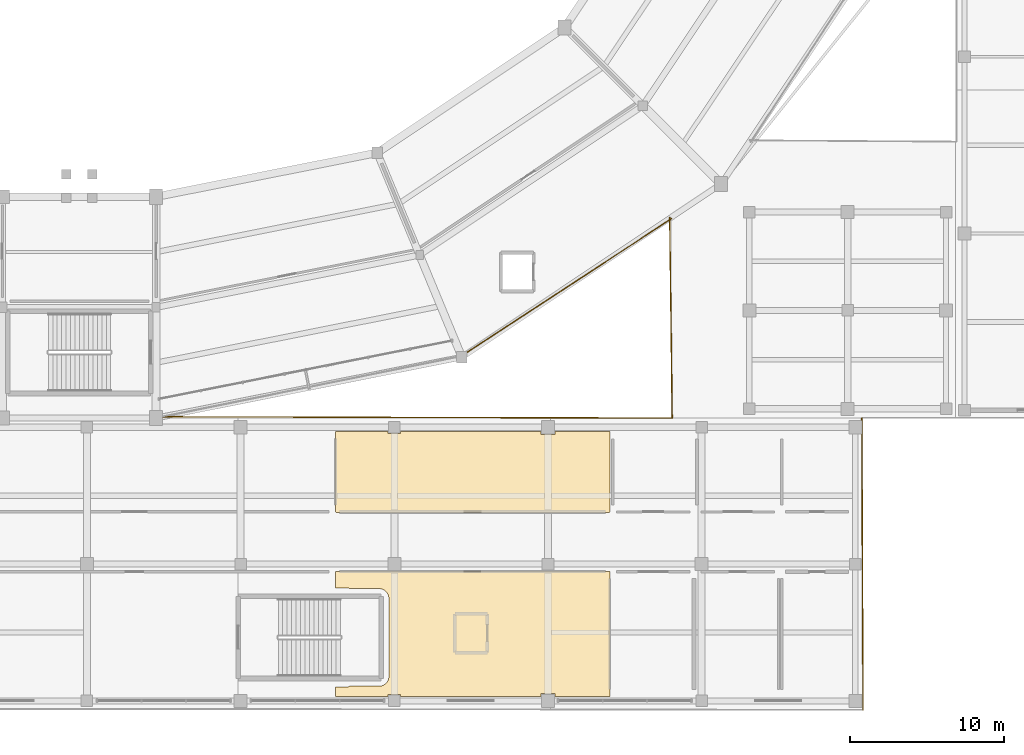
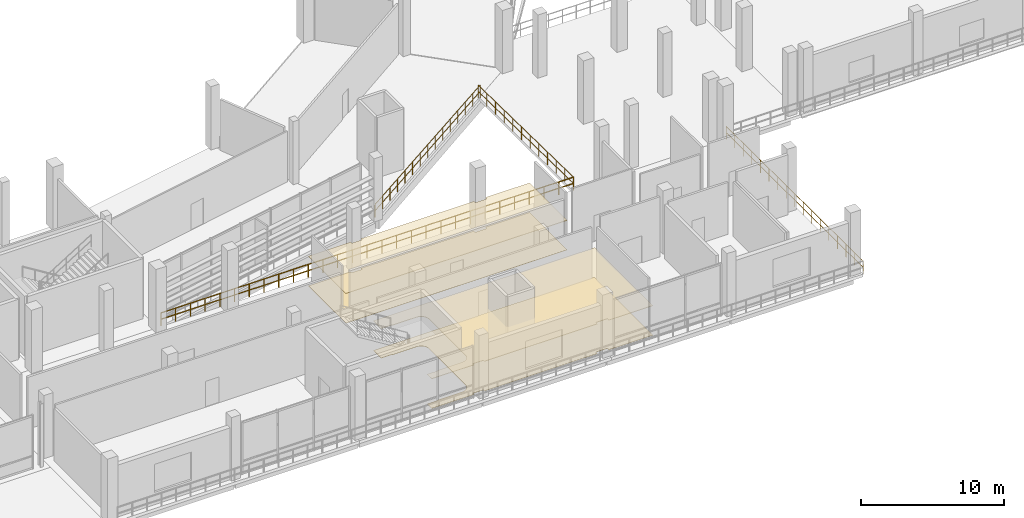
# One storey, part 104 of 114: 4 coverings, 4 railings.
"""IFC4 building model written with IfcOpenShell, lengths in metres."""

import ifcopenshell
import ifcopenshell.guid

model = None  # the IFC model being written
_history = None  # IfcOwnerHistory: only IFC2X3 demands one
_inside = {}  # id of a spatial element -> (the spatial element, [elements in it])
_under = {}  # id of a project, library or spatial element -> (it, [spatial elements below it])
_declared = {}  # id of a project -> (the project, [libraries it declares])
_typed = {}  # id of a type object -> (the type object, [elements of that type])
_made_of = {}  # id of a material, layer set ... -> (it, [elements and type objects made of it])


def new_model(schema):
    """Start an empty IFC model of exactly this schema.

    Asked for "IFC4X3", IfcOpenShell would pick the latest addendum, in which some entities
    have other attributes; the version numbers below select the first issue.
    IFC2X3 requires an IfcOwnerHistory on every rooted entity: one is made here for all.
    """
    global model, _history
    if schema == "IFC4X3":
        model = ifcopenshell.file(schema_version=(4, 3, 0, 0))
    else:
        model = ifcopenshell.file(schema=schema)
    _inside.clear()
    _under.clear()
    _declared.clear()
    _typed.clear()
    _made_of.clear()
    _history = None
    if model.schema == "IFC2X3":
        org = make("IfcOrganization", Name="unknown")
        user = make(
            "IfcPersonAndOrganization",
            ThePerson=make("IfcPerson", FamilyName="unknown"),
            TheOrganization=org,
        )
        app = make(
            "IfcApplication",
            ApplicationDeveloper=org,
            Version="unknown",
            ApplicationFullName="unknown",
            ApplicationIdentifier="unknown",
        )
        _history = make(
            "IfcOwnerHistory",
            OwningUser=user,
            OwningApplication=app,
            ChangeAction="ADDED",
            CreationDate=0,
        )
    return model


def make(cls, **values):
    """One entity of the class cls with the attributes given. An attribute that is None is left unset."""
    return model.create_entity(
        cls, **{name: value for name, value in values.items() if value is not None}
    )


def rooted(cls, **values):
    """An entity with a GlobalId (a new one), such as an element, a storey or a relation."""
    return make(cls, GlobalId=ifcopenshell.guid.new(), OwnerHistory=_history, **values)


def si_unit(unit_type, name, prefix=None):
    """IfcSIUnit, for example si_unit("LENGTHUNIT", "METRE", prefix="MILLI")."""
    return make("IfcSIUnit", UnitType=unit_type, Prefix=prefix, Name=name)


def assignment(units):
    """IfcUnitAssignment: the units of a project."""
    return None if units is None else make("IfcUnitAssignment", Units=units)


def point(xyz):
    """IfcCartesianPoint."""
    return None if xyz is None else make("IfcCartesianPoint", Coordinates=xyz)


def direction(xyz):
    """IfcDirection."""
    return None if xyz is None else make("IfcDirection", DirectionRatios=xyz)


def frame(location, z_axis=None, x_axis=None):
    """IfcAxis2Placement3D, a coordinate frame: its origin and axes. An axis left out is left unset."""
    return make(
        "IfcAxis2Placement3D",
        Location=point(location),
        Axis=direction(z_axis),
        RefDirection=direction(x_axis),
    )


def frame_2d(location, x_axis=None):
    """IfcAxis2Placement2D, a coordinate frame in the plane: its origin and x axis."""
    return make(
        "IfcAxis2Placement2D", Location=point(location), RefDirection=direction(x_axis)
    )


def origin():
    """The frame at (0, 0, 0) with its axes left unset."""
    return frame((0.0, 0.0, 0.0))


def origin_2d():
    """The frame at (0, 0) in the plane with its x axis left unset."""
    return frame_2d((0.0, 0.0))


def place(relative_to, where):
    """IfcLocalPlacement: puts the frame where relative to a parent placement (None: the world)."""
    return make(
        "IfcLocalPlacement", PlacementRelTo=relative_to, RelativePlacement=where
    )


def context(
    kind, dimensions, precision=None, world=None, true_north=None, identifier=None
):
    """IfcGeometricRepresentationContext, for example the 3D "Model" context."""
    return make(
        "IfcGeometricRepresentationContext",
        ContextIdentifier=identifier,
        ContextType=kind,
        CoordinateSpaceDimension=dimensions,
        Precision=precision,
        WorldCoordinateSystem=world,
        TrueNorth=true_north,
    )


def subcontext(parent, identifier, kind, view, scale=None):
    """IfcGeometricRepresentationSubContext, for example "Body" below "Model"."""
    return make(
        "IfcGeometricRepresentationSubContext",
        ContextIdentifier=identifier,
        ContextType=kind,
        ParentContext=parent,
        TargetScale=scale,
        TargetView=view,
    )


def project(units=None, contexts=None):
    """IfcProject with its units and contexts."""
    return rooted(
        "IfcProject",
        Name="project",
        RepresentationContexts=contexts,
        UnitsInContext=assignment(units),
    )


def spatial(cls, under=None, at=None, **own):
    """A site, building, storey or space (cls), placed at a placement, below another one or the project."""
    s = rooted(cls, ObjectPlacement=at, **own)
    if under is not None:
        _under.setdefault(under.id(), (under, []))[1].append(s)
    return s


def polyline(points):
    """IfcPolyline through the points."""
    return make("IfcPolyline", Points=[point(p) for p in points])


def profile(cls, at=None, kind="AREA", **sizes):
    """A parametric profile (cls). Its sizes go by their IFC names, for example OverallWidth=200.0."""
    return make(cls, ProfileType=kind, Position=at, **sizes)


def circle(**sizes):
    """IfcCircleProfileDef."""
    return profile("IfcCircleProfileDef", **sizes)


def outline(outer, holes=None, kind="AREA"):
    """IfcArbitraryClosedProfileDef: a profile drawn as a closed curve; with holes, ...WithVoids."""
    if holes is None:
        return make("IfcArbitraryClosedProfileDef", ProfileType=kind, OuterCurve=outer)
    return make(
        "IfcArbitraryProfileDefWithVoids",
        ProfileType=kind,
        OuterCurve=outer,
        InnerCurves=holes,
    )


def extrude(swept, where, along, depth):
    """IfcExtrudedAreaSolid: the profile swept, set in the frame where, extruded along a direction by depth."""
    return make(
        "IfcExtrudedAreaSolid",
        SweptArea=swept,
        Position=where,
        ExtrudedDirection=direction(along),
        Depth=depth,
    )


def shape(context_of_items, identifier, shape_type, items):
    """IfcShapeRepresentation: the items that make up one representation, for example the "Body"."""
    return make(
        "IfcShapeRepresentation",
        ContextOfItems=context_of_items,
        RepresentationIdentifier=identifier,
        RepresentationType=shape_type,
        Items=items,
    )


def material(Name=None, Category=None):
    """IfcMaterial."""
    return make("IfcMaterial", Name=Name, Category=Category)


def layer(
    of_material, thickness, ventilated=None, Name=None, Category=None, Priority=None
):
    """IfcMaterialLayer: one layer of a wall or slab, of a material (None: an air gap)."""
    return make(
        "IfcMaterialLayer",
        Material=of_material,
        LayerThickness=thickness,
        IsVentilated=ventilated,
        Name=Name,
        Category=Category,
        Priority=Priority,
    )


def layer_set(layers, Name=None):
    """IfcMaterialLayerSet."""
    return make("IfcMaterialLayerSet", MaterialLayers=layers, LayerSetName=Name)


def made_of(thing, what):
    """Note that an element or type object is made of a material, layer set ...; save() writes the relation."""
    if what is not None:
        _made_of.setdefault(what.id(), (what, []))[1].append(thing)
    return thing


def type_object(cls, material=None, **own):
    """A type object (cls), such as IfcWallType, which elements share."""
    return made_of(rooted(cls, **own), material)


def element(
    cls,
    number,
    at=None,
    inside=None,
    cuts=None,
    type_object=None,
    material=None,
    context=None,
    identifier="Body",
    shape_type=None,
    held_by="IfcProductDefinitionShape",
    body=None,
    shapes=None,
    **own,
):
    """One element of the class cls, such as IfcWall. Its Tag is "e" and its number.

    at: its placement. inside: the storey or other place that contains it. cuts: it is an
    opening in that element (IfcRelVoidsElement). A single representation is given by context,
    identifier, shape_type and body (its items); several are given by shapes. held_by: the class
    of the entity that holds the representations. save() writes the other relations.
    """
    e = rooted(cls, Tag="e%d" % number, ObjectPlacement=at, **own)
    if body is not None:
        shapes = [shape(context, identifier, shape_type, body)]
    if shapes is not None:
        e.Representation = make(held_by, Representations=shapes)
    if inside is not None:
        _inside.setdefault(inside.id(), (inside, []))[1].append(e)
    if cuts is not None:
        rooted(
            "IfcRelVoidsElement", RelatingBuildingElement=cuts, RelatedOpeningElement=e
        )
    if type_object is not None:
        _typed.setdefault(type_object.id(), (type_object, []))[1].append(e)
    return made_of(e, material)


def aggregate(whole, parts):
    """IfcRelAggregates: a whole, such as a stair, and the parts it consists of."""
    return rooted("IfcRelAggregates", RelatingObject=whole, RelatedObjects=parts)


def save(model, path):
    """Write the relations noted so far, then the file.

    IfcRelAggregates (storeys below a building ...), IfcRelContainedInSpatialStructure (elements
    in a storey), IfcRelDefinesByType, IfcRelAssociatesMaterial and IfcRelDeclares: one each for
    every whole, place, type object, material and project.
    """
    for whole, parts in _under.values():
        aggregate(whole, parts)
    for where, things in _inside.values():
        rooted(
            "IfcRelContainedInSpatialStructure",
            RelatedElements=things,
            RelatingStructure=where,
        )
    for kind, things in _typed.values():
        rooted("IfcRelDefinesByType", RelatedObjects=things, RelatingType=kind)
    for what, things in _made_of.values():
        rooted("IfcRelAssociatesMaterial", RelatedObjects=things, RelatingMaterial=what)
    for by, libraries in _declared.values():
        rooted("IfcRelDeclares", RelatingContext=by, RelatedDefinitions=libraries)
    model.write(path)


model = new_model("IFC4")

# Units and contexts
model_context = context("Model", 3, precision=1e-05, world=origin(), true_north=direction((0.0, 1.0)))
body_context = subcontext(model_context, "Body", "Model", "MODEL_VIEW")
ifc_project = project(units=[si_unit("LENGTHUNIT", "METRE"), si_unit("AREAUNIT", "SQUARE_METRE"), si_unit("VOLUMEUNIT", "CUBIC_METRE"), si_unit("PLANEANGLEUNIT", "RADIAN"), si_unit("MASSUNIT", "GRAM", prefix="KILO")], contexts=[model_context])

# Site, building, storey
site_placement = place(None, origin())
site = spatial("IfcSite", under=ifc_project, at=site_placement, CompositionType="ELEMENT")
building_placement = place(site_placement, origin())
building = spatial("IfcBuilding", under=site, at=building_placement, Name="Candeia Ridge Stadium", CompositionType="ELEMENT")
storey_placement = place(building_placement, frame((0.0, 0.0, 5.39990234375)))
storey = spatial("IfcBuildingStorey", under=building, at=storey_placement, Name="L01", CompositionType="ELEMENT", Elevation=5.39990234375)

# Coverings
ifc_material_1 = material(Name="Basalt Terrazzo Finish", Category="masonry")
ifc_layer_1 = layer(ifc_material_1, 0.02490234375, Name="Basalt Terrazzo Finish", Category="masonry")
ifc_layer_set_1 = layer_set([ifc_layer_1], Name="Basalt Terrazzo Finish")
covering_type_1 = type_object("IfcCoveringType", Name="Polished Basalt Terrazzo Flooring 25", PredefinedType="FLOORING", material=ifc_layer_set_1)
covering_1_placement = place(storey_placement, origin())
element("IfcCovering", 1, at=covering_1_placement, inside=storey, type_object=covering_type_1, Name="Interior finish flooring Supporters Family Lounge South", PredefinedType="FLOORING", context=body_context, shape_type="SweptSolid", body=[
    extrude(outline(polyline([(152.670654296875, 9.005859375), (152.67138671875, 9.0087890625), (152.67236328125, 9.011474609375), (152.673583984375, 9.01416015625), (152.675048828125, 9.0166015625), (152.6767578125, 9.01904296875), (152.6787109375, 9.021240234375), (152.680908203125, 9.023193359375), (152.683349609375, 9.02490234375), (152.685791015625, 9.026611328125), (152.6884765625, 9.027587890625), (152.69140625, 9.02880859375), (152.694091796875, 9.029296875), (152.697021484375, 9.02978515625), (152.699951171875, 9.030029296875), (170.5, 9.030029296875), (170.5029296875, 9.02978515625), (170.505859375, 9.029296875), (170.5087890625, 9.02880859375), (170.511474609375, 9.027587890625), (170.51416015625, 9.026611328125), (170.5166015625, 9.02490234375), (170.51904296875, 9.023193359375), (170.521240234375, 9.021240234375), (170.523193359375, 9.01904296875), (170.52490234375, 9.0166015625), (170.526611328125, 9.01416015625), (170.527587890625, 9.011474609375), (170.52880859375, 9.0087890625), (170.529296875, 9.005859375), (170.52978515625, 9.0029296875), (170.530029296875, 9.0), (170.530029296875, 0.89990234375), (170.52978515625, 0.897216796875), (170.529296875, 0.89404296875), (170.52880859375, 0.891357421875), (170.527587890625, 0.888427734375), (170.526611328125, 0.885986328125), (170.52490234375, 0.88330078125), (170.523193359375, 0.881103515625), (170.521240234375, 0.87890625), (170.51904296875, 0.876708984375), (170.5166015625, 0.875), (170.51416015625, 0.87353515625), (170.511474609375, 0.872314453125), (170.5087890625, 0.871337890625), (170.505859375, 0.87060546875), (170.5029296875, 0.8701171875), (170.5, 0.8701171875), (166.965087890625, 0.8701171875), (166.965087890625, 1.06494140625), (166.034912109375, 1.06494140625), (166.034912109375, 0.8701171875), (156.9150390625, 0.8701171875), (156.9150390625, 1.014892578125), (156.0849609375, 1.014892578125), (156.0849609375, 0.8701171875), (152.699951171875, 0.8701171875), (152.697021484375, 0.8701171875), (152.694091796875, 0.87060546875), (152.69140625, 0.871337890625), (152.6884765625, 0.872314453125), (152.685791015625, 0.87353515625), (152.683349609375, 0.875), (152.680908203125, 0.876708984375), (152.6787109375, 0.87890625), (152.6767578125, 0.881103515625), (152.675048828125, 0.88330078125), (152.673583984375, 0.885986328125), (152.67236328125, 0.888427734375), (152.67138671875, 0.891357421875), (152.670654296875, 0.89404296875), (152.670166015625, 0.897216796875), (152.669921875, 0.89990234375), (152.669921875, 1.5), (153.409912109375, 1.5), (153.4443359375, 1.501708984375), (153.478271484375, 1.506591796875), (153.51171875, 1.51513671875), (153.5439453125, 1.526611328125), (153.574951171875, 1.541259765625), (153.589599609375, 1.550048828125), (155.5, 1.550048828125), (155.51708984375, 1.55029296875), (155.546630859375, 1.552001953125), (155.580810546875, 1.55517578125), (155.60986328125, 1.5595703125), (155.6435546875, 1.56640625), (155.672119140625, 1.573486328125), (155.705078125, 1.58349609375), (155.732666015625, 1.59326171875), (155.764404296875, 1.6064453125), (155.791015625, 1.618896484375), (155.8212890625, 1.63525390625), (155.8466796875, 1.650390625), (155.875244140625, 1.66943359375), (155.898681640625, 1.68701171875), (155.92529296875, 1.708740234375), (155.947265625, 1.728515625), (155.971435546875, 1.752685546875), (155.9912109375, 1.774658203125), (156.012939453125, 1.80126953125), (156.030517578125, 1.82470703125), (156.049560546875, 1.853515625), (156.064697265625, 1.878662109375), (156.0810546875, 1.908935546875), (156.093505859375, 1.935546875), (156.106689453125, 1.96728515625), (156.11669921875, 1.9951171875), (156.126708984375, 2.02783203125), (156.1337890625, 2.056396484375), (156.140380859375, 2.090087890625), (156.144775390625, 2.119140625), (156.148193359375, 2.1533203125), (156.149658203125, 2.182861328125), (156.14990234375, 2.199951171875), (156.14990234375, 7.25), (156.149658203125, 7.26708984375), (156.148193359375, 7.296630859375), (156.144775390625, 7.330810546875), (156.140380859375, 7.35986328125), (156.1337890625, 7.3935546875), (156.126708984375, 7.422119140625), (156.11669921875, 7.455078125), (156.106689453125, 7.482666015625), (156.093505859375, 7.514404296875), (156.0810546875, 7.541015625), (156.064697265625, 7.5712890625), (156.049560546875, 7.5966796875), (156.030517578125, 7.625244140625), (156.012939453125, 7.648681640625), (155.9912109375, 7.67529296875), (155.971435546875, 7.697265625), (155.947265625, 7.721435546875), (155.92529296875, 7.7412109375), (155.898681640625, 7.762939453125), (155.875244140625, 7.780517578125), (155.8466796875, 7.799560546875), (155.8212890625, 7.814697265625), (155.791015625, 7.8310546875), (155.764404296875, 7.843505859375), (155.732666015625, 7.856689453125), (155.705078125, 7.86669921875), (155.672119140625, 7.876708984375), (155.6435546875, 7.8837890625), (155.60986328125, 7.890380859375), (155.580810546875, 7.894775390625), (155.546630859375, 7.898193359375), (155.51708984375, 7.899658203125), (155.5, 7.89990234375), (153.589599609375, 7.89990234375), (153.574951171875, 7.90869140625), (153.5439453125, 7.92333984375), (153.51171875, 7.934814453125), (153.478271484375, 7.943359375), (153.4443359375, 7.9482421875), (153.409912109375, 7.949951171875), (152.669921875, 7.949951171875), (152.669921875, 9.0), (152.670166015625, 9.0029296875), (152.670654296875, 9.005859375)])), origin(), (0.0, 0.0, 1.0), 0.02001953125),
])
covering_2_placement = place(storey_placement, origin())
element("IfcCovering", 2, at=covering_2_placement, inside=storey, type_object=covering_type_1, Name="Interior finish flooring Supporters Family Lounge South North Hall", PredefinedType="FLOORING", context=body_context, shape_type="SweptSolid", body=[
    extrude(outline(polyline([(152.694091796875, 12.87060546875), (152.69140625, 12.871337890625), (152.6884765625, 12.872314453125), (152.685791015625, 12.87353515625), (152.683349609375, 12.875), (152.680908203125, 12.876708984375), (152.6787109375, 12.87890625), (152.6767578125, 12.881103515625), (152.675048828125, 12.88330078125), (152.673583984375, 12.885986328125), (152.67236328125, 12.888427734375), (152.67138671875, 12.891357421875), (152.670654296875, 12.89404296875), (152.670166015625, 12.897216796875), (152.669921875, 12.89990234375), (152.669921875, 18.10009765625), (152.670166015625, 18.102783203125), (152.670654296875, 18.10595703125), (152.67138671875, 18.108642578125), (152.67236328125, 18.111572265625), (152.673583984375, 18.114013671875), (152.675048828125, 18.11669921875), (152.6767578125, 18.118896484375), (152.6787109375, 18.12109375), (152.680908203125, 18.123291015625), (152.683349609375, 18.125), (152.685791015625, 18.12646484375), (152.6884765625, 18.127685546875), (152.69140625, 18.128662109375), (152.694091796875, 18.12939453125), (152.697021484375, 18.1298828125), (152.699951171875, 18.1298828125), (156.0849609375, 18.1298828125), (156.0849609375, 17.985107421875), (156.9150390625, 17.985107421875), (156.9150390625, 18.1298828125), (166.034912109375, 18.1298828125), (166.034912109375, 17.93505859375), (166.965087890625, 17.93505859375), (166.965087890625, 18.1298828125), (170.5, 18.1298828125), (170.5029296875, 18.1298828125), (170.505859375, 18.12939453125), (170.5087890625, 18.128662109375), (170.511474609375, 18.127685546875), (170.51416015625, 18.12646484375), (170.5166015625, 18.125), (170.51904296875, 18.123291015625), (170.521240234375, 18.12109375), (170.523193359375, 18.118896484375), (170.52490234375, 18.11669921875), (170.526611328125, 18.114013671875), (170.527587890625, 18.111572265625), (170.52880859375, 18.108642578125), (170.529296875, 18.10595703125), (170.52978515625, 18.102783203125), (170.530029296875, 18.10009765625), (170.530029296875, 12.89990234375), (170.52978515625, 12.897216796875), (170.529296875, 12.89404296875), (170.52880859375, 12.891357421875), (170.527587890625, 12.888427734375), (170.526611328125, 12.885986328125), (170.52490234375, 12.88330078125), (170.523193359375, 12.881103515625), (170.521240234375, 12.87890625), (170.51904296875, 12.876708984375), (170.5166015625, 12.875), (170.51416015625, 12.87353515625), (170.511474609375, 12.872314453125), (170.5087890625, 12.871337890625), (170.505859375, 12.87060546875), (170.5029296875, 12.8701171875), (170.5, 12.8701171875), (152.699951171875, 12.8701171875), (152.697021484375, 12.8701171875), (152.694091796875, 12.87060546875)])), origin(), (0.0, 0.0, 1.0), 0.02001953125),
])
ifc_material_2 = material(Name="Western Red Cedar Acoustic Slat", Category="wood")
ifc_layer_2 = layer(ifc_material_2, 0.044921875, Name="Western Red Cedar Acoustic Slat", Category="wood")
ifc_layer_set_2 = layer_set([ifc_layer_2], Name="Western Red Cedar Acoustic Slat")
covering_type_2 = type_object("IfcCoveringType", Name="Slatted Cedar Acoustic Ceiling 45", PredefinedType="CEILING", material=ifc_layer_set_2)
covering_3_placement = place(storey_placement, frame((0.0, 0.0, 2.510009765625)))
element("IfcCovering", 3, at=covering_3_placement, inside=storey, type_object=covering_type_2, Name="Acoustic ceiling Supporters Family Lounge South", PredefinedType="CEILING", context=body_context, shape_type="SweptSolid", body=[
    extrude(outline(polyline([(152.670654296875, 9.005859375), (152.67138671875, 9.0087890625), (152.67236328125, 9.011474609375), (152.673583984375, 9.01416015625), (152.675048828125, 9.0166015625), (152.6767578125, 9.01904296875), (152.6787109375, 9.021240234375), (152.680908203125, 9.023193359375), (152.683349609375, 9.02490234375), (152.685791015625, 9.026611328125), (152.6884765625, 9.027587890625), (152.69140625, 9.02880859375), (152.694091796875, 9.029296875), (152.697021484375, 9.02978515625), (152.699951171875, 9.030029296875), (170.5, 9.030029296875), (170.5029296875, 9.02978515625), (170.505859375, 9.029296875), (170.5087890625, 9.02880859375), (170.511474609375, 9.027587890625), (170.51416015625, 9.026611328125), (170.5166015625, 9.02490234375), (170.51904296875, 9.023193359375), (170.521240234375, 9.021240234375), (170.523193359375, 9.01904296875), (170.52490234375, 9.0166015625), (170.526611328125, 9.01416015625), (170.527587890625, 9.011474609375), (170.52880859375, 9.0087890625), (170.529296875, 9.005859375), (170.52978515625, 9.0029296875), (170.530029296875, 9.0), (170.530029296875, 0.89990234375), (170.52978515625, 0.897216796875), (170.529296875, 0.89404296875), (170.52880859375, 0.891357421875), (170.527587890625, 0.888427734375), (170.526611328125, 0.885986328125), (170.52490234375, 0.88330078125), (170.523193359375, 0.881103515625), (170.521240234375, 0.87890625), (170.51904296875, 0.876708984375), (170.5166015625, 0.875), (170.51416015625, 0.87353515625), (170.511474609375, 0.872314453125), (170.5087890625, 0.871337890625), (170.505859375, 0.87060546875), (170.5029296875, 0.8701171875), (170.5, 0.8701171875), (166.965087890625, 0.8701171875), (166.965087890625, 1.06494140625), (166.034912109375, 1.06494140625), (166.034912109375, 0.8701171875), (156.9150390625, 0.8701171875), (156.9150390625, 1.014892578125), (156.0849609375, 1.014892578125), (156.0849609375, 0.8701171875), (152.699951171875, 0.8701171875), (152.697021484375, 0.8701171875), (152.694091796875, 0.87060546875), (152.69140625, 0.871337890625), (152.6884765625, 0.872314453125), (152.685791015625, 0.87353515625), (152.683349609375, 0.875), (152.680908203125, 0.876708984375), (152.6787109375, 0.87890625), (152.6767578125, 0.881103515625), (152.675048828125, 0.88330078125), (152.673583984375, 0.885986328125), (152.67236328125, 0.888427734375), (152.67138671875, 0.891357421875), (152.670654296875, 0.89404296875), (152.670166015625, 0.897216796875), (152.669921875, 0.89990234375), (152.669921875, 1.5), (153.409912109375, 1.5), (153.4443359375, 1.501708984375), (153.478271484375, 1.506591796875), (153.51171875, 1.51513671875), (153.5439453125, 1.526611328125), (153.574951171875, 1.541259765625), (153.589599609375, 1.550048828125), (155.5, 1.550048828125), (155.51708984375, 1.55029296875), (155.546630859375, 1.552001953125), (155.580810546875, 1.55517578125), (155.60986328125, 1.5595703125), (155.6435546875, 1.56640625), (155.672119140625, 1.573486328125), (155.705078125, 1.58349609375), (155.732666015625, 1.59326171875), (155.764404296875, 1.6064453125), (155.791015625, 1.618896484375), (155.8212890625, 1.63525390625), (155.8466796875, 1.650390625), (155.875244140625, 1.66943359375), (155.898681640625, 1.68701171875), (155.92529296875, 1.708740234375), (155.947265625, 1.728515625), (155.971435546875, 1.752685546875), (155.9912109375, 1.774658203125), (156.012939453125, 1.80126953125), (156.030517578125, 1.82470703125), (156.049560546875, 1.853515625), (156.064697265625, 1.878662109375), (156.0810546875, 1.908935546875), (156.093505859375, 1.935546875), (156.106689453125, 1.96728515625), (156.11669921875, 1.9951171875), (156.126708984375, 2.02783203125), (156.1337890625, 2.056396484375), (156.140380859375, 2.090087890625), (156.144775390625, 2.119140625), (156.148193359375, 2.1533203125), (156.149658203125, 2.182861328125), (156.14990234375, 2.199951171875), (156.14990234375, 7.25), (156.149658203125, 7.26708984375), (156.148193359375, 7.296630859375), (156.144775390625, 7.330810546875), (156.140380859375, 7.35986328125), (156.1337890625, 7.3935546875), (156.126708984375, 7.422119140625), (156.11669921875, 7.455078125), (156.106689453125, 7.482666015625), (156.093505859375, 7.514404296875), (156.0810546875, 7.541015625), (156.064697265625, 7.5712890625), (156.049560546875, 7.5966796875), (156.030517578125, 7.625244140625), (156.012939453125, 7.648681640625), (155.9912109375, 7.67529296875), (155.971435546875, 7.697265625), (155.947265625, 7.721435546875), (155.92529296875, 7.7412109375), (155.898681640625, 7.762939453125), (155.875244140625, 7.780517578125), (155.8466796875, 7.799560546875), (155.8212890625, 7.814697265625), (155.791015625, 7.8310546875), (155.764404296875, 7.843505859375), (155.732666015625, 7.856689453125), (155.705078125, 7.86669921875), (155.672119140625, 7.876708984375), (155.6435546875, 7.8837890625), (155.60986328125, 7.890380859375), (155.580810546875, 7.894775390625), (155.546630859375, 7.898193359375), (155.51708984375, 7.899658203125), (155.5, 7.89990234375), (153.589599609375, 7.89990234375), (153.574951171875, 7.90869140625), (153.5439453125, 7.92333984375), (153.51171875, 7.934814453125), (153.478271484375, 7.943359375), (153.4443359375, 7.9482421875), (153.409912109375, 7.949951171875), (152.669921875, 7.949951171875), (152.669921875, 9.0), (152.670166015625, 9.0029296875), (152.670654296875, 9.005859375)])), origin(), (0.0, 0.0, 1.0), 0.0400390625),
])
covering_4_placement = place(storey_placement, frame((0.0, 0.0, 2.510009765625)))
element("IfcCovering", 4, at=covering_4_placement, inside=storey, type_object=covering_type_2, Name="Acoustic ceiling Supporters Family Lounge South North Hall", PredefinedType="CEILING", context=body_context, shape_type="SweptSolid", body=[
    extrude(outline(polyline([(152.694091796875, 12.87060546875), (152.69140625, 12.871337890625), (152.6884765625, 12.872314453125), (152.685791015625, 12.87353515625), (152.683349609375, 12.875), (152.680908203125, 12.876708984375), (152.6787109375, 12.87890625), (152.6767578125, 12.881103515625), (152.675048828125, 12.88330078125), (152.673583984375, 12.885986328125), (152.67236328125, 12.888427734375), (152.67138671875, 12.891357421875), (152.670654296875, 12.89404296875), (152.670166015625, 12.897216796875), (152.669921875, 12.89990234375), (152.669921875, 18.10009765625), (152.670166015625, 18.102783203125), (152.670654296875, 18.10595703125), (152.67138671875, 18.108642578125), (152.67236328125, 18.111572265625), (152.673583984375, 18.114013671875), (152.675048828125, 18.11669921875), (152.6767578125, 18.118896484375), (152.6787109375, 18.12109375), (152.680908203125, 18.123291015625), (152.683349609375, 18.125), (152.685791015625, 18.12646484375), (152.6884765625, 18.127685546875), (152.69140625, 18.128662109375), (152.694091796875, 18.12939453125), (152.697021484375, 18.1298828125), (152.699951171875, 18.1298828125), (156.0849609375, 18.1298828125), (156.0849609375, 17.985107421875), (156.9150390625, 17.985107421875), (156.9150390625, 18.1298828125), (166.034912109375, 18.1298828125), (166.034912109375, 17.93505859375), (166.965087890625, 17.93505859375), (166.965087890625, 18.1298828125), (170.5, 18.1298828125), (170.5029296875, 18.1298828125), (170.505859375, 18.12939453125), (170.5087890625, 18.128662109375), (170.511474609375, 18.127685546875), (170.51416015625, 18.12646484375), (170.5166015625, 18.125), (170.51904296875, 18.123291015625), (170.521240234375, 18.12109375), (170.523193359375, 18.118896484375), (170.52490234375, 18.11669921875), (170.526611328125, 18.114013671875), (170.527587890625, 18.111572265625), (170.52880859375, 18.108642578125), (170.529296875, 18.10595703125), (170.52978515625, 18.102783203125), (170.530029296875, 18.10009765625), (170.530029296875, 12.89990234375), (170.52978515625, 12.897216796875), (170.529296875, 12.89404296875), (170.52880859375, 12.891357421875), (170.527587890625, 12.888427734375), (170.526611328125, 12.885986328125), (170.52490234375, 12.88330078125), (170.523193359375, 12.881103515625), (170.521240234375, 12.87890625), (170.51904296875, 12.876708984375), (170.5166015625, 12.875), (170.51416015625, 12.87353515625), (170.511474609375, 12.872314453125), (170.5087890625, 12.871337890625), (170.505859375, 12.87060546875), (170.5029296875, 12.8701171875), (170.5, 12.8701171875), (152.699951171875, 12.8701171875), (152.697021484375, 12.8701171875), (152.694091796875, 12.87060546875)])), origin(), (0.0, 0.0, 1.0), 0.0400390625),
])

# Railings
ifc_material_3 = material(Name="Galvanized Powder-Coated Steel", Category="steel")
ifc_layer_3 = layer(ifc_material_3, 0.074951171875, Name="Galvanized Powder-Coated Steel", Category="steel")
ifc_layer_set_3 = layer_set([ifc_layer_3], Name="Galvanized Powder-Coated Steel")
railing_type = type_object("IfcRailingType", Name="Spectator Bowl Front Guardrail 1120", PredefinedType="GUARDRAIL", material=ifc_layer_set_3)
railing_1_placement = place(storey_placement, frame((186.919921875, 19.0, 0.0)))
element("IfcRailing", 5, at=railing_1_placement, inside=storey, type_object=railing_type, Name="Deck edge safety guardrail GR-DE-L01-0013", PredefinedType="GUARDRAIL", context=body_context, shape_type="SweptSolid", body=[
    extrude(circle(Radius=0.02392578125, at=origin_2d()), frame((0.0, 0.0, 1.09619140625), z_axis=(0.004214600726, -0.999991118531, 0.0), x_axis=(0.999991118531, 0.004214600726, 0.0)), (0.0, 0.0, 1.0), 19.000244140625),
    extrude(circle(Radius=0.02392578125, at=origin_2d()), frame((0.0, 0.0, 0.56005859375), z_axis=(0.004214600726, -0.999991118531, 0.0), x_axis=(0.999991118531, 0.004214600726, 0.0)), (0.0, 0.0, 1.0), 19.000244140625),
    extrude(circle(Radius=0.02099609375, at=origin_2d()), origin(), (0.0, 0.0, 1.0), 1.072021484375),
    extrude(circle(Radius=0.02099609375, at=origin_2d()), frame((0.0048828125, -1.1875, 0.0)), (0.0, 0.0, 1.0), 1.072021484375),
    extrude(circle(Radius=0.02099609375, at=origin_2d()), frame((0.010009765625, -2.375, 0.0)), (0.0, 0.0, 1.0), 1.072021484375),
    extrude(circle(Radius=0.02099609375, at=origin_2d()), frame((0.01513671875, -3.5625, 0.0)), (0.0, 0.0, 1.0), 1.072021484375),
    extrude(circle(Radius=0.02099609375, at=origin_2d()), frame((0.02001953125, -4.75, 0.0)), (0.0, 0.0, 1.0), 1.072021484375),
    extrude(circle(Radius=0.02099609375, at=origin_2d()), frame((0.02490234375, -5.9375, 0.0)), (0.0, 0.0, 1.0), 1.072021484375),
    extrude(circle(Radius=0.02099609375, at=origin_2d()), frame((0.030029296875, -7.125, 0.0)), (0.0, 0.0, 1.0), 1.072021484375),
    extrude(circle(Radius=0.02099609375, at=origin_2d()), frame((0.03515625, -8.3125, 0.0)), (0.0, 0.0, 1.0), 1.072021484375),
    extrude(circle(Radius=0.02099609375, at=origin_2d()), frame((0.0400390625, -9.5, 0.0)), (0.0, 0.0, 1.0), 1.072021484375),
    extrude(circle(Radius=0.02099609375, at=origin_2d()), frame((0.044921875, -10.6875, 0.0)), (0.0, 0.0, 1.0), 1.072021484375),
    extrude(circle(Radius=0.02099609375, at=origin_2d()), frame((0.050048828125, -11.875, 0.0)), (0.0, 0.0, 1.0), 1.072021484375),
    extrude(circle(Radius=0.02099609375, at=origin_2d()), frame((0.05517578125, -13.0625, 0.0)), (0.0, 0.0, 1.0), 1.072021484375),
    extrude(circle(Radius=0.02099609375, at=origin_2d()), frame((0.06005859375, -14.25, 0.0)), (0.0, 0.0, 1.0), 1.072021484375),
    extrude(circle(Radius=0.02099609375, at=origin_2d()), frame((0.06494140625, -15.4375, 0.0)), (0.0, 0.0, 1.0), 1.072021484375),
    extrude(circle(Radius=0.02099609375, at=origin_2d()), frame((0.070068359375, -16.625, 0.0)), (0.0, 0.0, 1.0), 1.072021484375),
    extrude(circle(Radius=0.02099609375, at=origin_2d()), frame((0.0751953125, -17.8125, 0.0)), (0.0, 0.0, 1.0), 1.072021484375),
    extrude(circle(Radius=0.02099609375, at=origin_2d()), frame((0.080078125, -19.0, 0.0)), (0.0, 0.0, 1.0), 1.072021484375),
])
railing_2_placement = place(storey_placement, frame((174.54443359375, 31.979248046875, 0.0)))
element("IfcRailing", 6, at=railing_2_placement, inside=storey, type_object=railing_type, Name="Deck edge safety guardrail GR-DE-L01-0027", PredefinedType="GUARDRAIL", context=body_context, shape_type="SweptSolid", body=[
    extrude(circle(Radius=0.02392578125, at=origin_2d()), frame((0.0, 0.0, 1.09619140625), z_axis=(-0.836677098571, -0.547696478651, 0.0), x_axis=(0.547696478651, -0.836677098571, 0.0)), (0.0, 0.0, 1.0), 16.3271484375),
    extrude(circle(Radius=0.02392578125, at=origin_2d()), frame((0.0, 0.0, 0.56005859375), z_axis=(-0.836677098571, -0.547696478651, 0.0), x_axis=(0.547696478651, -0.836677098571, 0.0)), (0.0, 0.0, 1.0), 16.3271484375),
    extrude(circle(Radius=0.02099609375, at=origin_2d()), origin(), (0.0, 0.0, 1.0), 1.072021484375),
    extrude(circle(Radius=0.02099609375, at=origin_2d()), frame((-0.975830078125, -0.638671875, 0.0)), (0.0, 0.0, 1.0), 1.072021484375),
    extrude(circle(Radius=0.02099609375, at=origin_2d()), frame((-1.951416015625, -1.277587890625, 0.0)), (0.0, 0.0, 1.0), 1.072021484375),
    extrude(circle(Radius=0.02099609375, at=origin_2d()), frame((-2.92724609375, -1.916259765625, 0.0)), (0.0, 0.0, 1.0), 1.072021484375),
    extrude(circle(Radius=0.02099609375, at=origin_2d()), frame((-3.903076171875, -2.554931640625, 0.0)), (0.0, 0.0, 1.0), 1.072021484375),
    extrude(circle(Radius=0.02099609375, at=origin_2d()), frame((-4.87890625, -3.193603515625, 0.0)), (0.0, 0.0, 1.0), 1.072021484375),
    extrude(circle(Radius=0.02099609375, at=origin_2d()), frame((-5.8544921875, -3.83251953125, 0.0)), (0.0, 0.0, 1.0), 1.072021484375),
    extrude(circle(Radius=0.02099609375, at=origin_2d()), frame((-6.830322265625, -4.47119140625, 0.0)), (0.0, 0.0, 1.0), 1.072021484375),
    extrude(circle(Radius=0.02099609375, at=origin_2d()), frame((-7.80615234375, -5.10986328125, 0.0)), (0.0, 0.0, 1.0), 1.072021484375),
    extrude(circle(Radius=0.02099609375, at=origin_2d()), frame((-8.78173828125, -5.748779296875, 0.0)), (0.0, 0.0, 1.0), 1.072021484375),
    extrude(circle(Radius=0.02099609375, at=origin_2d()), frame((-9.757568359375, -6.387451171875, 0.0)), (0.0, 0.0, 1.0), 1.072021484375),
    extrude(circle(Radius=0.02099609375, at=origin_2d()), frame((-10.7333984375, -7.026123046875, 0.0)), (0.0, 0.0, 1.0), 1.072021484375),
    extrude(circle(Radius=0.02099609375, at=origin_2d()), frame((-11.709228515625, -7.664794921875, 0.0)), (0.0, 0.0, 1.0), 1.072021484375),
    extrude(circle(Radius=0.02099609375, at=origin_2d()), frame((-12.684814453125, -8.3037109375, 0.0)), (0.0, 0.0, 1.0), 1.072021484375),
    extrude(circle(Radius=0.02099609375, at=origin_2d()), frame((-13.66064453125, -8.9423828125, 0.0)), (0.0, 0.0, 1.0), 1.072021484375),
])
railing_3_placement = place(storey_placement, frame((141.313720703125, 19.080078125, 0.0)))
element("IfcRailing", 7, at=railing_3_placement, inside=storey, type_object=railing_type, Name="Deck edge safety guardrail GR-DE-L01-0029", PredefinedType="GUARDRAIL", context=body_context, shape_type="SweptSolid", body=[
    extrude(circle(Radius=0.02392578125, at=origin_2d()), frame((0.0, 0.0, 1.09619140625), z_axis=(0.999997102754, -0.002407173469, 0.0), x_axis=(0.002407173469, 0.999997102754, 0.0)), (0.0, 0.0, 1.0), 33.266357421875),
    extrude(circle(Radius=0.02392578125, at=origin_2d()), frame((0.0, 0.0, 0.56005859375), z_axis=(0.999997102754, -0.002407173469, 0.0), x_axis=(0.002407173469, 0.999997102754, 0.0)), (0.0, 0.0, 1.0), 33.266357421875),
    extrude(circle(Radius=0.02099609375, at=origin_2d()), origin(), (0.0, 0.0, 1.0), 1.072021484375),
    extrude(circle(Radius=0.02099609375, at=origin_2d()), frame((1.18798828125, -0.0029296875, 0.0)), (0.0, 0.0, 1.0), 1.072021484375),
    extrude(circle(Radius=0.02099609375, at=origin_2d()), frame((2.376220703125, -0.005615234375, 0.0)), (0.0, 0.0, 1.0), 1.072021484375),
    extrude(circle(Radius=0.02099609375, at=origin_2d()), frame((3.564208984375, -0.008544921875, 0.0)), (0.0, 0.0, 1.0), 1.072021484375),
    extrude(circle(Radius=0.02099609375, at=origin_2d()), frame((4.75244140625, -0.011474609375, 0.0)), (0.0, 0.0, 1.0), 1.072021484375),
    extrude(circle(Radius=0.02099609375, at=origin_2d()), frame((5.9404296875, -0.014404296875, 0.0)), (0.0, 0.0, 1.0), 1.072021484375),
    extrude(circle(Radius=0.02099609375, at=origin_2d()), frame((7.12841796875, -0.01708984375, 0.0)), (0.0, 0.0, 1.0), 1.072021484375),
    extrude(circle(Radius=0.02099609375, at=origin_2d()), frame((8.316650390625, -0.02001953125, 0.0)), (0.0, 0.0, 1.0), 1.072021484375),
    extrude(circle(Radius=0.02099609375, at=origin_2d()), frame((9.504638671875, -0.02294921875, 0.0)), (0.0, 0.0, 1.0), 1.072021484375),
    extrude(circle(Radius=0.02099609375, at=origin_2d()), frame((10.69287109375, -0.025634765625, 0.0)), (0.0, 0.0, 1.0), 1.072021484375),
    extrude(circle(Radius=0.02099609375, at=origin_2d()), frame((11.880859375, -0.028564453125, 0.0)), (0.0, 0.0, 1.0), 1.072021484375),
    extrude(circle(Radius=0.02099609375, at=origin_2d()), frame((13.06884765625, -0.031494140625, 0.0)), (0.0, 0.0, 1.0), 1.072021484375),
    extrude(circle(Radius=0.02099609375, at=origin_2d()), frame((14.257080078125, -0.034423828125, 0.0)), (0.0, 0.0, 1.0), 1.072021484375),
    extrude(circle(Radius=0.02099609375, at=origin_2d()), frame((15.445068359375, -0.037109375, 0.0)), (0.0, 0.0, 1.0), 1.072021484375),
    extrude(circle(Radius=0.02099609375, at=origin_2d()), frame((16.63330078125, -0.0400390625, 0.0)), (0.0, 0.0, 1.0), 1.072021484375),
    extrude(circle(Radius=0.02099609375, at=origin_2d()), frame((17.8212890625, -0.04296875, 0.0)), (0.0, 0.0, 1.0), 1.072021484375),
    extrude(circle(Radius=0.02099609375, at=origin_2d()), frame((19.00927734375, -0.045654296875, 0.0)), (0.0, 0.0, 1.0), 1.072021484375),
    extrude(circle(Radius=0.02099609375, at=origin_2d()), frame((20.197509765625, -0.048583984375, 0.0)), (0.0, 0.0, 1.0), 1.072021484375),
    extrude(circle(Radius=0.02099609375, at=origin_2d()), frame((21.385498046875, -0.051513671875, 0.0)), (0.0, 0.0, 1.0), 1.072021484375),
    extrude(circle(Radius=0.02099609375, at=origin_2d()), frame((22.573486328125, -0.054443359375, 0.0)), (0.0, 0.0, 1.0), 1.072021484375),
    extrude(circle(Radius=0.02099609375, at=origin_2d()), frame((23.76171875, -0.05712890625, 0.0)), (0.0, 0.0, 1.0), 1.072021484375),
    extrude(circle(Radius=0.02099609375, at=origin_2d()), frame((24.94970703125, -0.06005859375, 0.0)), (0.0, 0.0, 1.0), 1.072021484375),
    extrude(circle(Radius=0.02099609375, at=origin_2d()), frame((26.137939453125, -0.06298828125, 0.0)), (0.0, 0.0, 1.0), 1.072021484375),
    extrude(circle(Radius=0.02099609375, at=origin_2d()), frame((27.325927734375, -0.065673828125, 0.0)), (0.0, 0.0, 1.0), 1.072021484375),
    extrude(circle(Radius=0.02099609375, at=origin_2d()), frame((28.513916015625, -0.068603515625, 0.0)), (0.0, 0.0, 1.0), 1.072021484375),
    extrude(circle(Radius=0.02099609375, at=origin_2d()), frame((29.7021484375, -0.071533203125, 0.0)), (0.0, 0.0, 1.0), 1.072021484375),
    extrude(circle(Radius=0.02099609375, at=origin_2d()), frame((30.89013671875, -0.074462890625, 0.0)), (0.0, 0.0, 1.0), 1.072021484375),
    extrude(circle(Radius=0.02099609375, at=origin_2d()), frame((32.078369140625, -0.0771484375, 0.0)), (0.0, 0.0, 1.0), 1.072021484375),
    extrude(circle(Radius=0.02099609375, at=origin_2d()), frame((33.266357421875, -0.080078125, 0.0)), (0.0, 0.0, 1.0), 1.072021484375),
])
railing_4_placement = place(storey_placement, frame((174.580078125, 19.0, 0.0)))
element("IfcRailing", 8, at=railing_4_placement, inside=storey, type_object=railing_type, Name="Deck edge safety guardrail GR-DE-L01-0030", PredefinedType="GUARDRAIL", context=body_context, shape_type="SweptSolid", body=[
    extrude(circle(Radius=0.02392578125, at=origin_2d()), frame((0.0, 0.0, 1.09619140625), z_axis=(-0.012275443015, 0.999924653911, 0.0), x_axis=(-0.999924653911, -0.012275443015, 0.0)), (0.0, 0.0, 1.0), 13.046875),
    extrude(circle(Radius=0.02392578125, at=origin_2d()), frame((0.0, 0.0, 0.56005859375), z_axis=(-0.012275443015, 0.999924653911, 0.0), x_axis=(-0.999924653911, -0.012275443015, 0.0)), (0.0, 0.0, 1.0), 13.046875),
    extrude(circle(Radius=0.02099609375, at=origin_2d()), origin(), (0.0, 0.0, 1.0), 1.072021484375),
    extrude(circle(Radius=0.02099609375, at=origin_2d()), frame((-0.0146484375, 1.18603515625, 0.0)), (0.0, 0.0, 1.0), 1.072021484375),
    extrude(circle(Radius=0.02099609375, at=origin_2d()), frame((-0.029052734375, 2.3720703125, 0.0)), (0.0, 0.0, 1.0), 1.072021484375),
    extrude(circle(Radius=0.02099609375, at=origin_2d()), frame((-0.043701171875, 3.557861328125, 0.0)), (0.0, 0.0, 1.0), 1.072021484375),
    extrude(circle(Radius=0.02099609375, at=origin_2d()), frame((-0.058349609375, 4.743896484375, 0.0)), (0.0, 0.0, 1.0), 1.072021484375),
    extrude(circle(Radius=0.02099609375, at=origin_2d()), frame((-0.07275390625, 5.929931640625, 0.0)), (0.0, 0.0, 1.0), 1.072021484375),
    extrude(circle(Radius=0.02099609375, at=origin_2d()), frame((-0.08740234375, 7.115966796875, 0.0)), (0.0, 0.0, 1.0), 1.072021484375),
    extrude(circle(Radius=0.02099609375, at=origin_2d()), frame((-0.101806640625, 8.302001953125, 0.0)), (0.0, 0.0, 1.0), 1.072021484375),
    extrude(circle(Radius=0.02099609375, at=origin_2d()), frame((-0.116455078125, 9.488037109375, 0.0)), (0.0, 0.0, 1.0), 1.072021484375),
    extrude(circle(Radius=0.02099609375, at=origin_2d()), frame((-0.131103515625, 10.673828125, 0.0)), (0.0, 0.0, 1.0), 1.072021484375),
    extrude(circle(Radius=0.02099609375, at=origin_2d()), frame((-0.1455078125, 11.85986328125, 0.0)), (0.0, 0.0, 1.0), 1.072021484375),
    extrude(circle(Radius=0.02099609375, at=origin_2d()), frame((-0.16015625, 13.0458984375, 0.0)), (0.0, 0.0, 1.0), 1.072021484375),
])

save(model, "model.ifc")
